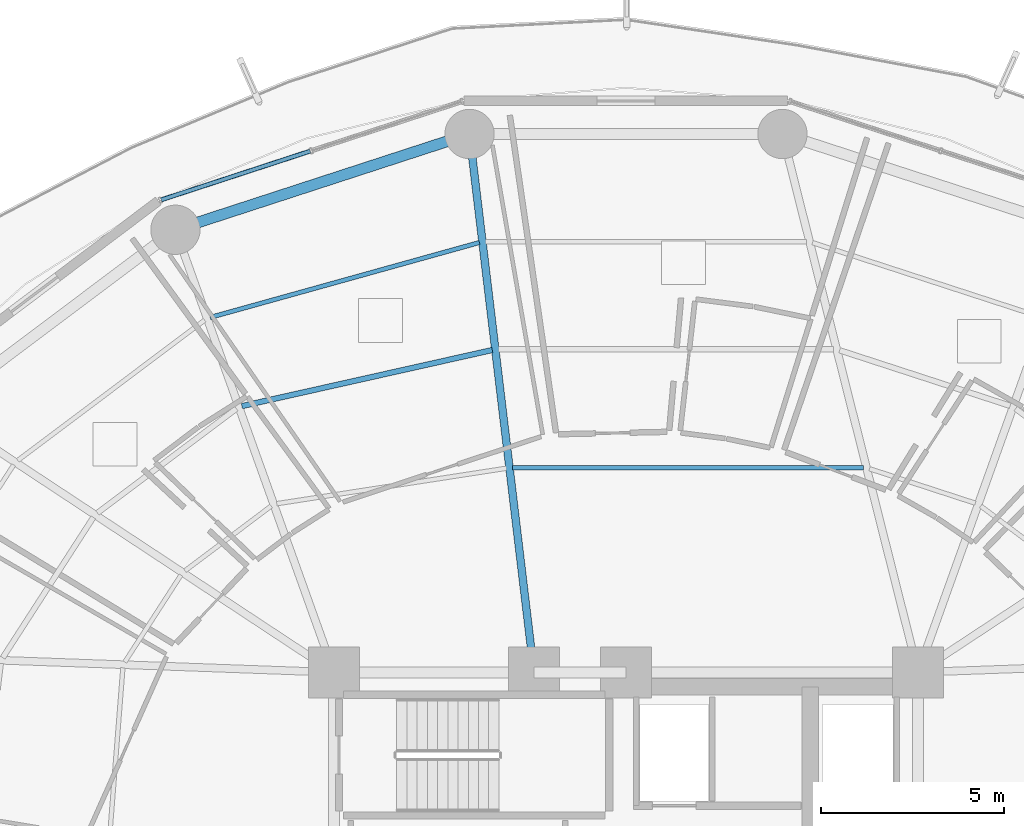
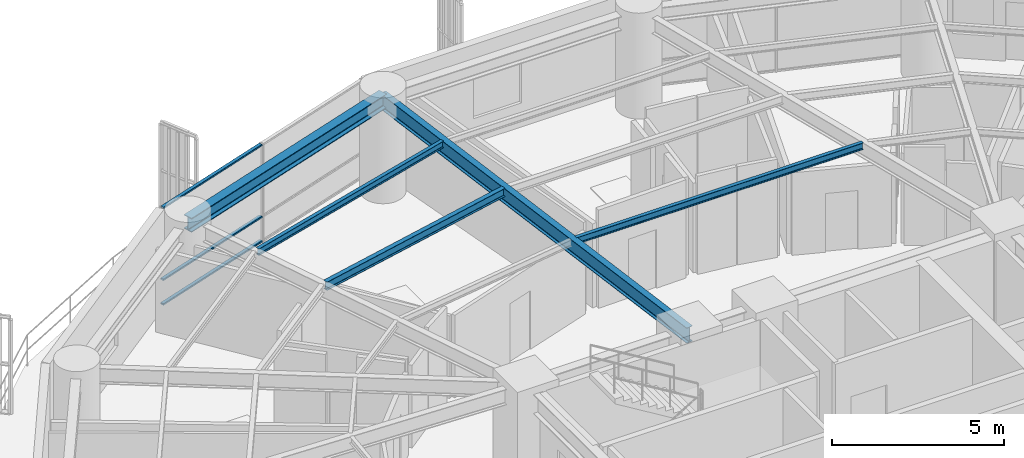
# One storey, part 20 of 35: 5 beams, 3 members, 1 element without a shape of its own.
"""IFC4 building model written with IfcOpenShell, lengths in metres."""

from ifc_helpers import new_model, si_unit, direction, frame, origin, origin_2d, place, context, subcontext, project, spatial, hollow_rectangle, i_section, extrude, material, layer, layer_set, material_profile, profile_set, type_object, element, aggregate, save


model = new_model("IFC4")

# Units and contexts
model_context = context("Model", 3, precision=1e-05, world=origin(), true_north=direction((0.0, 1.0)))
body_context = subcontext(model_context, "Body", "Model", "MODEL_VIEW")
ifc_project = project(units=[si_unit("LENGTHUNIT", "METRE"), si_unit("AREAUNIT", "SQUARE_METRE"), si_unit("VOLUMEUNIT", "CUBIC_METRE"), si_unit("PLANEANGLEUNIT", "RADIAN"), si_unit("MASSUNIT", "GRAM", prefix="KILO")], contexts=[model_context])

# Site, building, storey
site_placement = place(None, origin())
site = spatial("IfcSite", under=ifc_project, at=site_placement, CompositionType="ELEMENT")
building_placement = place(site_placement, origin())
building = spatial("IfcBuilding", under=site, at=building_placement, Name="Kelanora Arch Commons", CompositionType="ELEMENT")
storey_placement = place(building_placement, frame((0.0, 0.0, 87.60009765625)))
storey = spatial("IfcBuildingStorey", under=building, at=storey_placement, Name="L22", CompositionType="ELEMENT", Elevation=87.60009765625)

# Beams
ifc_material_1 = material(Name="Steel S355", Category="steel")
ifc_material_profile_1 = material_profile(ifc_material_1, i_section(OverallWidth=0.14990234375, OverallDepth=0.300048828125, WebThickness=0.007080078125, FlangeThickness=0.0107421875, FilletRadius=0.014892578125, at=origin_2d()), Name="IPE300")
ifc_profile_set_1 = profile_set([ifc_material_profile_1], Name="Steel S355")
beam_type_1 = type_object("IfcBeamType", Name="BM-JST-01", PredefinedType="JOIST", material=ifc_profile_set_1)
beam_1_placement = place(storey_placement, frame((70.337646484375, 73.828125, 3.33984375), z_axis=(-0.975817048791, -0.218588854449, 0.0), x_axis=(0.218588854449, -0.975817048791, 0.0)))
element("IfcBeam", 1, at=beam_1_placement, inside=storey, type_object=beam_type_1, Name="Secondary Chord Joist BJB-10 L22", PredefinedType="JOIST", context=body_context, shape_type="SweptSolid", body=[
    extrude(i_section(OverallWidth=0.14990234375, OverallDepth=0.300048828125, WebThickness=0.007080078125, FlangeThickness=0.0107421875, FilletRadius=0.014892578125, at=origin_2d()), origin(), (0.0, 0.0, 1.0), 7.028564453125),
])
ifc_material_profile_2 = material_profile(ifc_material_1, i_section(OverallWidth=0.1201171875, OverallDepth=0.239990234375, WebThickness=0.006103515625, FlangeThickness=0.009765625, FilletRadius=0.014892578125, at=origin_2d()), Name="IPE240")
ifc_profile_set_2 = profile_set([ifc_material_profile_2], Name="Steel S355")
beam_type_2 = type_object("IfcBeamType", Name="BM-JST-02", PredefinedType="JOIST", material=ifc_profile_set_2)
beam_2_placement = place(storey_placement, frame((80.50341796875, 70.602783203125, 3.369873046875), z_axis=(-1.0, 0.0, 0.0), x_axis=(0.0, -1.0, 0.0)))
element("IfcBeam", 2, at=beam_2_placement, inside=storey, type_object=beam_type_2, Name="Secondary Chord Joist BJA-08 L22", PredefinedType="JOIST", context=body_context, shape_type="SweptSolid", body=[
    extrude(i_section(OverallWidth=0.1201171875, OverallDepth=0.239990234375, WebThickness=0.006103515625, FlangeThickness=0.009765625, FilletRadius=0.014892578125, at=origin_2d()), origin(), (0.0, 0.0, 1.0), 9.609375),
])
beam_3_placement = place(storey_placement, frame((69.985595703125, 76.77294921875, 3.369873046875), z_axis=(-0.963385760896, -0.268119144603, 0.0), x_axis=(0.268119144603, -0.963385760896, 0.0)))
element("IfcBeam", 3, at=beam_3_placement, inside=storey, type_object=beam_type_2, Name="Secondary Chord Joist BJC-10 L22", PredefinedType="JOIST", context=body_context, shape_type="SweptSolid", body=[
    extrude(i_section(OverallWidth=0.1201171875, OverallDepth=0.239990234375, WebThickness=0.006103515625, FlangeThickness=0.009765625, FilletRadius=0.014892578125, at=origin_2d()), origin(), (0.0, 0.0, 1.0), 7.656005859375),
])
ifc_material_profile_3 = material_profile(ifc_material_1, i_section(OverallWidth=0.2099609375, OverallDepth=0.550048828125, WebThickness=0.010986328125, FlangeThickness=0.01708984375, FilletRadius=0.02392578125, at=origin_2d()), Name="IPE550")
ifc_profile_set_3 = profile_set([ifc_material_profile_3], Name="Steel S355")
beam_type_3 = type_object("IfcBeamType", Name="BM-RAD-Z2", PredefinedType="BEAM", material=ifc_profile_set_3)
beam_4_placement = place(storey_placement, frame((71.47998046875, 65.0, 3.21484375), z_axis=(-0.118897572414, 0.992906524943, 0.0), x_axis=(-0.992906524943, -0.118897572414, 0.0)))
element("IfcBeam", 4, at=beam_4_placement, inside=storey, type_object=beam_type_3, Name="Radial Floor Girder BR-10 L22", PredefinedType="BEAM", context=body_context, shape_type="SweptSolid", body=[
    extrude(i_section(OverallWidth=0.2099609375, OverallDepth=0.550048828125, WebThickness=0.010986328125, FlangeThickness=0.01708984375, FilletRadius=0.02392578125, at=origin_2d()), origin(), (0.0, 0.0, 1.0), 14.849853515625),
])
ifc_material_profile_4 = material_profile(ifc_material_1, i_section(OverallWidth=0.300048828125, OverallDepth=0.5, WebThickness=0.014404296875, FlangeThickness=0.028076171875, FilletRadius=0.027099609375, at=origin_2d()), Name="HEB500")
ifc_profile_set_4 = profile_set([ifc_material_profile_4], Name="Steel S355")
beam_type_4 = type_object("IfcBeamType", Name="BM-SPN-Z2", PredefinedType="SPANDREL", material=ifc_profile_set_4)
beam_5_placement = place(storey_placement, frame((69.71435546875, 79.74462890625, 3.239990234375), z_axis=(-0.950856631974, -0.309631499418, 0.0), x_axis=(0.309631499418, -0.950856631974, 0.0)))
element("IfcBeam", 5, at=beam_5_placement, inside=storey, type_object=beam_type_4, Name="Perimeter Spandrel Beam BS-10 L22", PredefinedType="SPANDREL", context=body_context, shape_type="SweptSolid", body=[
    extrude(i_section(OverallWidth=0.300048828125, OverallDepth=0.5, WebThickness=0.014404296875, FlangeThickness=0.028076171875, FilletRadius=0.027099609375, at=origin_2d()), origin(), (0.0, 0.0, 1.0), 8.470703125),
])

# Curtain wall, members
ifc_material_2 = material(Name="Terracotta ceramic-fritted low-E glass and aluminium", Category="masonry")
ifc_layer = layer(ifc_material_2, 0.159912109375)
ifc_layer_set = layer_set([ifc_layer], Name="Terracotta ceramic-fritted low-E glass and aluminium")
curtain_wall_type = type_object("IfcCurtainWallType", Name="CW-SYS-01", PredefinedType="NOTDEFINED", material=ifc_layer_set)
curtain_wall_placement = place(storey_placement, origin())
curtain_wall = element("IfcCurtainWall", 6, at=curtain_wall_placement, inside=storey, type_object=curtain_wall_type, Name="Unitised Curtain Wall L22-B05", PredefinedType="NOTDEFINED")
ifc_material_3 = material(Name="Powder-coated aluminium terracotta", Category="masonry")
ifc_material_profile_5 = material_profile(ifc_material_3, hollow_rectangle(XDim=0.1201171875, YDim=0.06005859375, WallThickness=0.0048828125, InnerFilletRadius=0.0048828125, OuterFilletRadius=0.010009765625, at=origin_2d()), Name="CWT120x60")
ifc_profile_set_5 = profile_set([ifc_material_profile_5], Name="Powder-coated aluminium terracotta")
member_type = type_object("IfcMemberType", Name="CWT-STD", PredefinedType="USERDEFINED", material=ifc_profile_set_5)
member_1_placement = place(storey_placement, frame((65.348876953125, 79.275390625, 0.02978515625), z_axis=(-0.950466230394, -0.310827838008, 0.0), x_axis=(0.310827838008, -0.950466230394, 0.0)))
member_1 = element("IfcMember", 7, at=member_1_placement, type_object=member_type, Name="CW-01 transom 2.1", ObjectType="TRANSOM", PredefinedType="USERDEFINED", context=body_context, shape_type="SweptSolid", body=[
    extrude(hollow_rectangle(XDim=0.1201171875, YDim=0.06005859375, WallThickness=0.0048828125, InnerFilletRadius=0.0048828125, OuterFilletRadius=0.010009765625, at=origin_2d()), origin(), (0.0, 0.0, 1.0), 4.2900390625),
])
member_2_placement = place(storey_placement, frame((65.348876953125, 79.275390625, 0.89990234375), z_axis=(-0.950466230394, -0.310827838008, 0.0), x_axis=(0.310827838008, -0.950466230394, 0.0)))
member_2 = element("IfcMember", 8, at=member_2_placement, type_object=member_type, Name="CW-01 transom 2.2", ObjectType="TRANSOM", PredefinedType="USERDEFINED", context=body_context, shape_type="SweptSolid", body=[
    extrude(hollow_rectangle(XDim=0.1201171875, YDim=0.06005859375, WallThickness=0.0048828125, InnerFilletRadius=0.0048828125, OuterFilletRadius=0.010009765625, at=origin_2d()), origin(), (0.0, 0.0, 1.0), 4.2900390625),
])
member_3_placement = place(storey_placement, frame((65.348876953125, 79.275390625, 3.44482421875), z_axis=(-0.950466230394, -0.310827838008, 0.0), x_axis=(0.310827838008, -0.950466230394, 0.0)))
member_3 = element("IfcMember", 9, at=member_3_placement, type_object=member_type, Name="CW-01 transom 2.3", ObjectType="TRANSOM", PredefinedType="USERDEFINED", context=body_context, shape_type="SweptSolid", body=[
    extrude(hollow_rectangle(XDim=0.1201171875, YDim=0.06005859375, WallThickness=0.0048828125, InnerFilletRadius=0.0048828125, OuterFilletRadius=0.010009765625, at=origin_2d()), origin(), (0.0, 0.0, 1.0), 4.2900390625),
])
aggregate(curtain_wall, [member_1, member_2, member_3])

save(model, "model.ifc")
